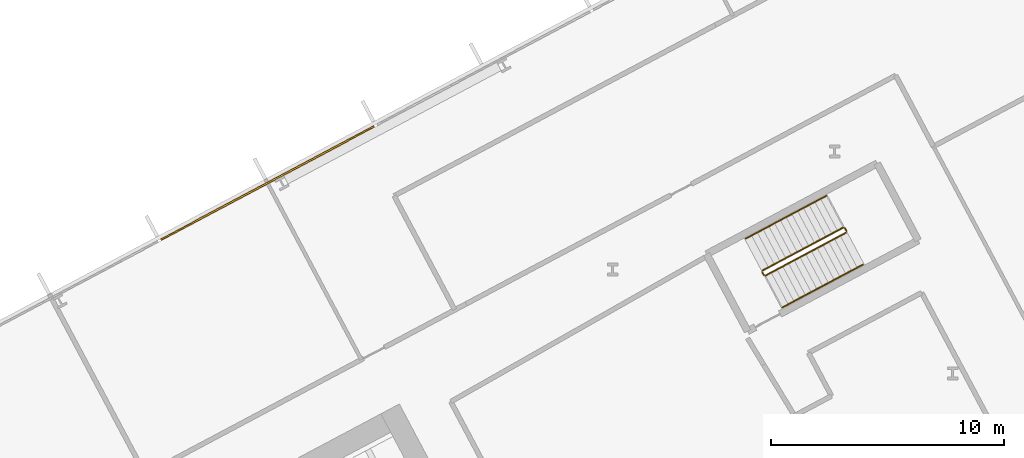
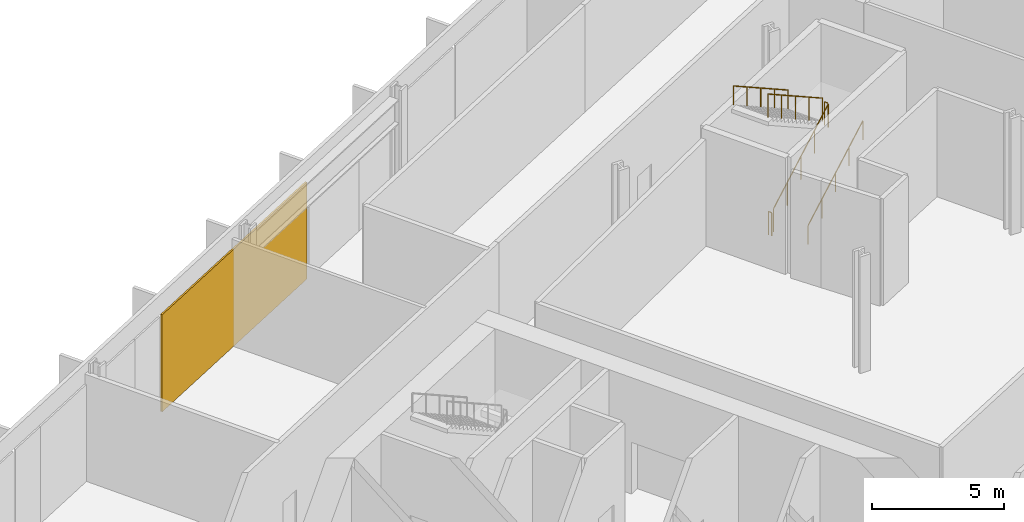
# One storey, part 29 of 30: 6 railings, 1 covering, 1 element without a shape of its own.
"""IFC4 building model written with IfcOpenShell, lengths in metres."""

from ifc_helpers import new_model, si_unit, direction, frame, origin, origin_2d, place, context, subcontext, project, spatial, polyline, rectangle, outline, extrude, material, layer, layer_set, type_object, element, aggregate, save


model = new_model("IFC4")

# Units and contexts
model_context = context("Model", 3, precision=1e-05, world=origin(), true_north=direction((0.0, 1.0)))
body_context = subcontext(model_context, "Body", "Model", "MODEL_VIEW")
ifc_project = project(units=[si_unit("LENGTHUNIT", "METRE"), si_unit("AREAUNIT", "SQUARE_METRE"), si_unit("VOLUMEUNIT", "CUBIC_METRE"), si_unit("PLANEANGLEUNIT", "RADIAN"), si_unit("MASSUNIT", "GRAM", prefix="KILO")], contexts=[model_context])

# Site, building, storey
site_placement = place(None, origin())
site = spatial("IfcSite", under=ifc_project, at=site_placement, CompositionType="ELEMENT")
building_placement = place(site_placement, origin())
building = spatial("IfcBuilding", under=site, at=building_placement, Name="Cormorant Relay Tower", CompositionType="ELEMENT")
storey_placement = place(building_placement, frame((0.0, 0.0, 55.39990234375)))
storey = spatial("IfcBuildingStorey", under=building, at=storey_placement, Name="L10", CompositionType="ELEMENT", Elevation=55.39990234375)

# Curtain wall, covering
ifc_material_1 = material(Name="Aluminium 6063-T6 anodised bronze", Category="aluminium")
ifc_layer_1 = layer(ifc_material_1, 0.235107421875)
ifc_layer_set_1 = layer_set([ifc_layer_1], Name="CW6 data hall curtain wall with mineral wool panels")
curtain_wall_type = type_object("IfcCurtainWallType", Name="CW6 data hall curtain wall with mineral wool panels", PredefinedType="NOTDEFINED", material=ifc_layer_set_1)
curtain_wall_placement = place(storey_placement, origin())
curtain_wall = element("IfcCurtainWall", 1, at=curtain_wall_placement, inside=storey, type_object=curtain_wall_type, Name="CW6 curtain wall 6", PredefinedType="NOTDEFINED")
ifc_material_2 = material(Name="Mineral wool cored anodised bronze aluminium cassette panel", Category="aluminium")
ifc_layer_2 = layer(ifc_material_2, 0.074951171875)
ifc_layer_set_2 = layer_set([ifc_layer_2], Name="CW6 mineral wool cassette panel 75")
covering_type = type_object("IfcCoveringType", Name="CW6 mineral wool cassette panel 75", PredefinedType="CLADDING", material=ifc_layer_set_2)
covering_placement = place(storey_placement, frame((23.193603515625, 36.15869140625, 0.0), z_axis=(0.0, 0.0, 1.0), x_axis=(-0.882947592859, -0.469471562786, 0.0)))
covering = element("IfcCovering", 2, at=covering_placement, type_object=covering_type, Name="CW6 panel S05", PredefinedType="CLADDING", context=body_context, shape_type="SweptSolid", body=[
    extrude(rectangle(XDim=10.365234375, YDim=0.074951171875, at=origin_2d()), origin(), (0.0, 0.0, 1.0), 4.5),
])
aggregate(curtain_wall, [covering])

# Railings
ifc_material_3 = material(Name="Steel ASTM A572 Grade 50 (Fy 345 MPa)", Category="steel")
railing_type_1 = type_object("IfcRailingType", Name="Stair guard 1100", PredefinedType="GUARDRAIL", material=ifc_material_3)
railing_1_placement = place(storey_placement, frame((44.583740234375, 32.186279296875, 0.18017578125)))
element("IfcRailing", 3, at=railing_1_placement, inside=storey, type_object=railing_type_1, Name="L10 RB1 stair guard 1", PredefinedType="GUARDRAIL", context=body_context, shape_type="SweptSolid", body=[
    extrude(outline(polyline([(0.022216796875, 0.00927734375), (0.00927734375, 0.022216796875), (-0.00927734375, 0.022216796875), (-0.022216796875, 0.00927734375), (-0.022216796875, -0.00927734375), (-0.00927734375, -0.022216796875), (0.00927734375, -0.022216796875), (0.022216796875, -0.00927734375), (0.022216796875, 0.00927734375)])), frame((0.0, 0.0, 1.076171875), z_axis=(0.74271721126, 0.394907409077, 0.540758062681), x_axis=(-0.469469396681, 0.882948744594, 0.0)), (0.0, 0.0, 1.0), 4.66015625),
    extrude(outline(polyline([(0.019287109375, 0.008056640625), (0.008056640625, 0.019287109375), (-0.008056640625, 0.019287109375), (-0.019287109375, 0.008056640625), (-0.019287109375, -0.008056640625), (-0.008056640625, -0.019287109375), (0.008056640625, -0.019287109375), (0.019287109375, -0.008056640625), (0.019287109375, 0.008056640625)])), origin(), (0.0, 0.0, 1.0), 1.052001953125),
    extrude(outline(polyline([(0.019287109375, 0.008056640625), (0.008056640625, 0.019287109375), (-0.008056640625, 0.019287109375), (-0.019287109375, 0.008056640625), (-0.019287109375, -0.008056640625), (-0.008056640625, -0.019287109375), (0.008056640625, -0.019287109375), (0.019287109375, -0.008056640625), (0.019287109375, 0.008056640625)])), frame((0.865234375, 0.4599609375, 0.6298828125)), (0.0, 0.0, 1.0), 1.052001953125),
    extrude(outline(polyline([(0.019287109375, 0.008056640625), (0.008056640625, 0.019287109375), (-0.008056640625, 0.019287109375), (-0.019287109375, 0.008056640625), (-0.019287109375, -0.008056640625), (-0.008056640625, -0.019287109375), (0.008056640625, -0.019287109375), (0.019287109375, -0.008056640625), (0.019287109375, 0.008056640625)])), frame((1.73046875, 0.920166015625, 1.260009765625)), (0.0, 0.0, 1.0), 1.052001953125),
    extrude(outline(polyline([(0.019287109375, 0.008056640625), (0.008056640625, 0.019287109375), (-0.008056640625, 0.019287109375), (-0.019287109375, 0.008056640625), (-0.019287109375, -0.008056640625), (-0.008056640625, -0.019287109375), (0.008056640625, -0.019287109375), (0.019287109375, -0.008056640625), (0.019287109375, 0.008056640625)])), frame((2.595947265625, 1.38037109375, 1.89013671875)), (0.0, 0.0, 1.0), 1.052001953125),
    extrude(outline(polyline([(0.019287109375, 0.008056640625), (0.008056640625, 0.019287109375), (-0.008056640625, 0.019287109375), (-0.019287109375, 0.008056640625), (-0.019287109375, -0.008056640625), (-0.008056640625, -0.019287109375), (0.008056640625, -0.019287109375), (0.019287109375, -0.008056640625), (0.019287109375, 0.008056640625)])), frame((3.461181640625, 1.84033203125, 2.52001953125)), (0.0, 0.0, 1.0), 1.052001953125),
])
railing_2_placement = place(storey_placement, frame((48.065673828125, 34.09423828125, 2.7001953125)))
element("IfcRailing", 4, at=railing_2_placement, inside=storey, type_object=railing_type_1, Name="L10 RB1 stair guard 2", PredefinedType="GUARDRAIL", context=body_context, shape_type="SweptSolid", body=[
    extrude(outline(polyline([(0.022216796875, 0.00927734375), (0.00927734375, 0.022216796875), (-0.00927734375, 0.022216796875), (-0.022216796875, 0.00927734375), (-0.022216796875, -0.00927734375), (-0.00927734375, -0.022216796875), (0.00927734375, -0.022216796875), (0.022216796875, -0.00927734375), (0.022216796875, 0.00927734375)])), frame((0.0, 0.0, 1.076171875), z_axis=(-0.469828648786, 0.882757634224, 0.0), x_axis=(-0.882757634224, -0.469828648786, 0.0)), (0.0, 0.0, 1.0), 0.150146484375),
    extrude(outline(polyline([(0.019287109375, 0.008056640625), (0.008056640625, 0.019287109375), (-0.008056640625, 0.019287109375), (-0.019287109375, 0.008056640625), (-0.019287109375, -0.008056640625), (-0.008056640625, -0.019287109375), (0.008056640625, -0.019287109375), (0.019287109375, -0.008056640625), (0.019287109375, 0.008056640625)])), origin(), (0.0, 0.0, 1.0), 1.052001953125),
    extrude(outline(polyline([(0.019287109375, 0.008056640625), (0.008056640625, 0.019287109375), (-0.008056640625, 0.019287109375), (-0.019287109375, 0.008056640625), (-0.019287109375, -0.008056640625), (-0.008056640625, -0.019287109375), (0.008056640625, -0.019287109375), (0.019287109375, -0.008056640625), (0.019287109375, 0.008056640625)])), frame((-0.070556640625, 0.132568359375, 0.0)), (0.0, 0.0, 1.0), 1.052001953125),
])
railing_3_placement = place(storey_placement, frame((47.927490234375, 34.24755859375, 2.880126953125)))
element("IfcRailing", 5, at=railing_3_placement, inside=storey, type_object=railing_type_1, Name="L10 RB1 stair guard 3", PredefinedType="GUARDRAIL", context=body_context, shape_type="SweptSolid", body=[
    extrude(outline(polyline([(0.022216796875, 0.00927734375), (0.00927734375, 0.022216796875), (-0.00927734375, 0.022216796875), (-0.022216796875, 0.00927734375), (-0.022216796875, -0.00927734375), (-0.00927734375, -0.022216796875), (0.00927734375, -0.022216796875), (0.022216796875, -0.00927734375), (0.022216796875, 0.00927734375)])), frame((0.0, 0.0, 1.076171875), z_axis=(-0.74271721126, -0.394907409077, 0.540758062681), x_axis=(0.469469396681, -0.882948744594, 0.0)), (0.0, 0.0, 1.0), 4.66015625),
    extrude(outline(polyline([(0.019287109375, 0.008056640625), (0.008056640625, 0.019287109375), (-0.008056640625, 0.019287109375), (-0.019287109375, 0.008056640625), (-0.019287109375, -0.008056640625), (-0.008056640625, -0.019287109375), (0.008056640625, -0.019287109375), (0.019287109375, -0.008056640625), (0.019287109375, 0.008056640625)])), origin(), (0.0, 0.0, 1.0), 1.052001953125),
    extrude(outline(polyline([(0.019287109375, 0.008056640625), (0.008056640625, 0.019287109375), (-0.008056640625, 0.019287109375), (-0.019287109375, 0.008056640625), (-0.019287109375, -0.008056640625), (-0.008056640625, -0.019287109375), (0.008056640625, -0.019287109375), (0.019287109375, -0.008056640625), (0.019287109375, 0.008056640625)])), frame((-0.865234375, -0.4599609375, 0.6298828125)), (0.0, 0.0, 1.0), 1.052001953125),
    extrude(outline(polyline([(0.019287109375, 0.008056640625), (0.008056640625, 0.019287109375), (-0.008056640625, 0.019287109375), (-0.019287109375, 0.008056640625), (-0.019287109375, -0.008056640625), (-0.008056640625, -0.019287109375), (0.008056640625, -0.019287109375), (0.019287109375, -0.008056640625), (0.019287109375, 0.008056640625)])), frame((-1.73046875, -0.920166015625, 1.260009765625)), (0.0, 0.0, 1.0), 1.052001953125),
    extrude(outline(polyline([(0.019287109375, 0.008056640625), (0.008056640625, 0.019287109375), (-0.008056640625, 0.019287109375), (-0.019287109375, 0.008056640625), (-0.019287109375, -0.008056640625), (-0.008056640625, -0.019287109375), (0.008056640625, -0.019287109375), (0.019287109375, -0.008056640625), (0.019287109375, 0.008056640625)])), frame((-2.595947265625, -1.38037109375, 1.89013671875)), (0.0, 0.0, 1.0), 1.052001953125),
    extrude(outline(polyline([(0.019287109375, 0.008056640625), (0.008056640625, 0.019287109375), (-0.008056640625, 0.019287109375), (-0.019287109375, 0.008056640625), (-0.019287109375, -0.008056640625), (-0.008056640625, -0.019287109375), (0.008056640625, -0.019287109375), (0.019287109375, -0.008056640625), (0.019287109375, 0.008056640625)])), frame((-3.461181640625, -1.84033203125, 2.52001953125)), (0.0, 0.0, 1.0), 1.052001953125),
])
railing_4_placement = place(storey_placement, frame((44.51611328125, 32.20703125, 0.0)))
element("IfcRailing", 6, at=railing_4_placement, inside=storey, type_object=railing_type_1, Name="L10 RB1 stair guard 4", PredefinedType="GUARDRAIL", context=body_context, shape_type="SweptSolid", body=[
    extrude(outline(polyline([(0.022216796875, 0.00927734375), (0.00927734375, 0.022216796875), (-0.00927734375, 0.022216796875), (-0.022216796875, 0.00927734375), (-0.022216796875, -0.00927734375), (-0.00927734375, -0.022216796875), (0.00927734375, -0.022216796875), (0.022216796875, -0.00927734375), (0.022216796875, 0.00927734375)])), frame((0.0, 0.0, 1.076171875), z_axis=(-0.46856034887, 0.8834314911, 0.0), x_axis=(-0.8834314911, -0.46856034887, 0.0)), (0.0, 0.0, 1.0), 0.150146484375),
    extrude(outline(polyline([(0.019287109375, 0.008056640625), (0.008056640625, 0.019287109375), (-0.008056640625, 0.019287109375), (-0.019287109375, 0.008056640625), (-0.019287109375, -0.008056640625), (-0.008056640625, -0.019287109375), (0.008056640625, -0.019287109375), (0.019287109375, -0.008056640625), (0.019287109375, 0.008056640625)])), origin(), (0.0, 0.0, 1.0), 1.052001953125),
    extrude(outline(polyline([(0.019287109375, 0.008056640625), (0.008056640625, 0.019287109375), (-0.008056640625, 0.019287109375), (-0.019287109375, 0.008056640625), (-0.019287109375, -0.008056640625), (-0.008056640625, -0.019287109375), (0.008056640625, -0.019287109375), (0.019287109375, -0.008056640625), (0.019287109375, 0.008056640625)])), frame((-0.0703125, 0.132568359375, 0.0)), (0.0, 0.0, 1.0), 1.052001953125),
])
ifc_material_4 = material(Name="Steel ASTM A572 Grade 50 (Fy 345 MPa)", Category="steel")
railing_type_2 = type_object("IfcRailingType", Name="Stair handrail 900", PredefinedType="HANDRAIL", material=ifc_material_4)
railing_5_placement = place(storey_placement, frame((45.3115234375, 30.81787109375, 0.18017578125)))
element("IfcRailing", 7, at=railing_5_placement, inside=storey, type_object=railing_type_2, Name="L10 RB1 stair handrail 1", PredefinedType="HANDRAIL", context=body_context, shape_type="SweptSolid", body=[
    extrude(outline(polyline([(0.022216796875, 0.00927734375), (0.00927734375, 0.022216796875), (-0.00927734375, 0.022216796875), (-0.022216796875, 0.00927734375), (-0.022216796875, -0.00927734375), (-0.00927734375, -0.022216796875), (0.00927734375, -0.022216796875), (0.022216796875, -0.00927734375), (0.022216796875, 0.00927734375)])), frame((0.0, 0.0, 0.8759765625), z_axis=(0.74271721126, 0.394907409077, 0.540758062681), x_axis=(-0.469469396681, 0.882948744594, 0.0)), (0.0, 0.0, 1.0), 4.66015625),
    extrude(outline(polyline([(0.019287109375, 0.008056640625), (0.008056640625, 0.019287109375), (-0.008056640625, 0.019287109375), (-0.019287109375, 0.008056640625), (-0.019287109375, -0.008056640625), (-0.008056640625, -0.019287109375), (0.008056640625, -0.019287109375), (0.019287109375, -0.008056640625), (0.019287109375, 0.008056640625)])), origin(), (0.0, 0.0, 1.0), 0.851806640625),
    extrude(outline(polyline([(0.019287109375, 0.008056640625), (0.008056640625, 0.019287109375), (-0.008056640625, 0.019287109375), (-0.019287109375, 0.008056640625), (-0.019287109375, -0.008056640625), (-0.008056640625, -0.019287109375), (0.008056640625, -0.019287109375), (0.019287109375, -0.008056640625), (0.019287109375, 0.008056640625)])), frame((0.865234375, 0.4599609375, 0.6298828125)), (0.0, 0.0, 1.0), 0.851806640625),
    extrude(outline(polyline([(0.019287109375, 0.008056640625), (0.008056640625, 0.019287109375), (-0.008056640625, 0.019287109375), (-0.019287109375, 0.008056640625), (-0.019287109375, -0.008056640625), (-0.008056640625, -0.019287109375), (0.008056640625, -0.019287109375), (0.019287109375, -0.008056640625), (0.019287109375, 0.008056640625)])), frame((1.73046875, 0.920166015625, 1.260009765625)), (0.0, 0.0, 1.0), 0.851806640625),
    extrude(outline(polyline([(0.019287109375, 0.008056640625), (0.008056640625, 0.019287109375), (-0.008056640625, 0.019287109375), (-0.019287109375, 0.008056640625), (-0.019287109375, -0.008056640625), (-0.008056640625, -0.019287109375), (0.008056640625, -0.019287109375), (0.019287109375, -0.008056640625), (0.019287109375, 0.008056640625)])), frame((2.595947265625, 1.38037109375, 1.89013671875)), (0.0, 0.0, 1.0), 0.851806640625),
    extrude(outline(polyline([(0.019287109375, 0.008056640625), (0.008056640625, 0.019287109375), (-0.008056640625, 0.019287109375), (-0.019287109375, 0.008056640625), (-0.019287109375, -0.008056640625), (-0.008056640625, -0.019287109375), (0.008056640625, -0.019287109375), (0.019287109375, -0.008056640625), (0.019287109375, 0.008056640625)])), frame((3.461181640625, 1.84033203125, 2.52001953125)), (0.0, 0.0, 1.0), 0.851806640625),
])
railing_6_placement = place(storey_placement, frame((47.199951171875, 35.615966796875, 2.880126953125)))
element("IfcRailing", 8, at=railing_6_placement, inside=storey, type_object=railing_type_2, Name="L10 RB1 stair handrail 2", PredefinedType="HANDRAIL", context=body_context, shape_type="SweptSolid", body=[
    extrude(outline(polyline([(0.022216796875, 0.00927734375), (0.00927734375, 0.022216796875), (-0.00927734375, 0.022216796875), (-0.022216796875, 0.00927734375), (-0.022216796875, -0.00927734375), (-0.00927734375, -0.022216796875), (0.00927734375, -0.022216796875), (0.022216796875, -0.00927734375), (0.022216796875, 0.00927734375)])), frame((0.0, 0.0, 0.8759765625), z_axis=(-0.74271721126, -0.394907409077, 0.540758062681), x_axis=(0.469469396681, -0.882948744594, 0.0)), (0.0, 0.0, 1.0), 4.66015625),
    extrude(outline(polyline([(0.019287109375, 0.008056640625), (0.008056640625, 0.019287109375), (-0.008056640625, 0.019287109375), (-0.019287109375, 0.008056640625), (-0.019287109375, -0.008056640625), (-0.008056640625, -0.019287109375), (0.008056640625, -0.019287109375), (0.019287109375, -0.008056640625), (0.019287109375, 0.008056640625)])), origin(), (0.0, 0.0, 1.0), 0.851806640625),
    extrude(outline(polyline([(0.019287109375, 0.008056640625), (0.008056640625, 0.019287109375), (-0.008056640625, 0.019287109375), (-0.019287109375, 0.008056640625), (-0.019287109375, -0.008056640625), (-0.008056640625, -0.019287109375), (0.008056640625, -0.019287109375), (0.019287109375, -0.008056640625), (0.019287109375, 0.008056640625)])), frame((-0.865234375, -0.4599609375, 0.6298828125)), (0.0, 0.0, 1.0), 0.851806640625),
    extrude(outline(polyline([(0.019287109375, 0.008056640625), (0.008056640625, 0.019287109375), (-0.008056640625, 0.019287109375), (-0.019287109375, 0.008056640625), (-0.019287109375, -0.008056640625), (-0.008056640625, -0.019287109375), (0.008056640625, -0.019287109375), (0.019287109375, -0.008056640625), (0.019287109375, 0.008056640625)])), frame((-1.73046875, -0.920166015625, 1.260009765625)), (0.0, 0.0, 1.0), 0.851806640625),
    extrude(outline(polyline([(0.019287109375, 0.008056640625), (0.008056640625, 0.019287109375), (-0.008056640625, 0.019287109375), (-0.019287109375, 0.008056640625), (-0.019287109375, -0.008056640625), (-0.008056640625, -0.019287109375), (0.008056640625, -0.019287109375), (0.019287109375, -0.008056640625), (0.019287109375, 0.008056640625)])), frame((-2.595947265625, -1.38037109375, 1.89013671875)), (0.0, 0.0, 1.0), 0.851806640625),
    extrude(outline(polyline([(0.019287109375, 0.008056640625), (0.008056640625, 0.019287109375), (-0.008056640625, 0.019287109375), (-0.019287109375, 0.008056640625), (-0.019287109375, -0.008056640625), (-0.008056640625, -0.019287109375), (0.008056640625, -0.019287109375), (0.019287109375, -0.008056640625), (0.019287109375, 0.008056640625)])), frame((-3.461181640625, -1.84033203125, 2.52001953125)), (0.0, 0.0, 1.0), 0.851806640625),
])

save(model, "model.ifc")
